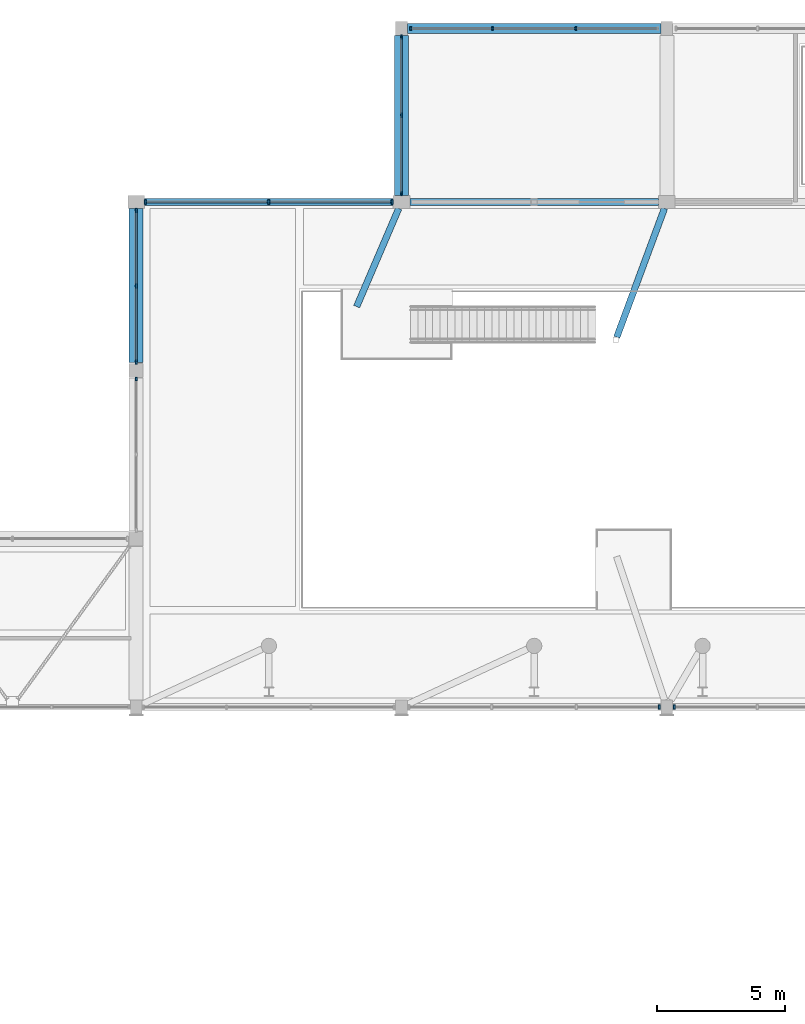
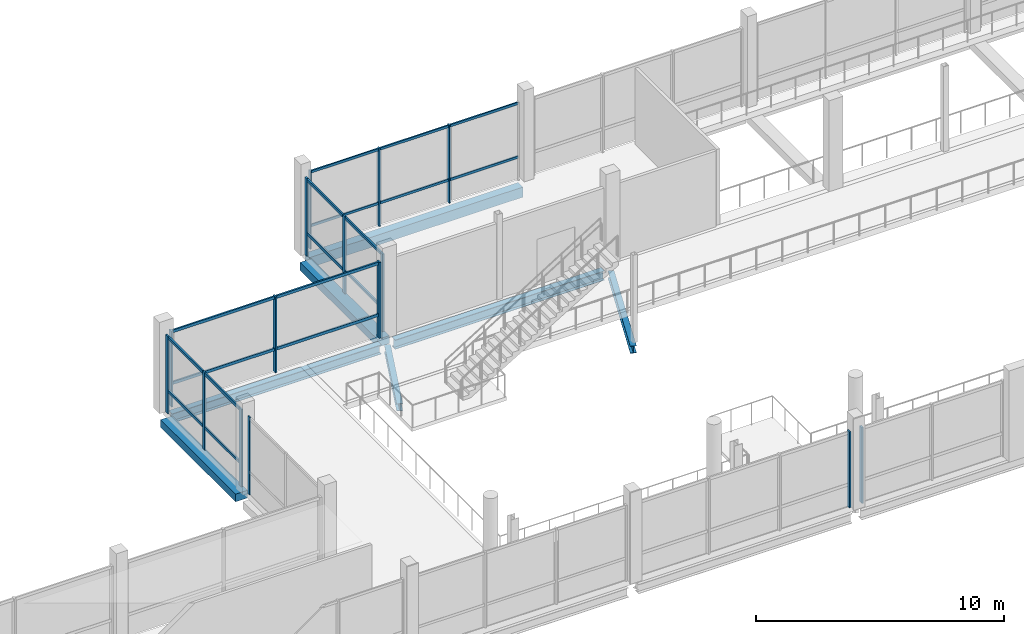
# One storey, part 27 of 95: 23 members, 7 beams, 7 elements without a shape of their own.
"""IFC4 building model written with IfcOpenShell, lengths in metres."""

from ifc_helpers import new_model, si_unit, derived_unit, direction, frame, origin, origin_2d, place, context, subcontext, project, spatial, rectangle, i_section, extrude, material, material_profile, profile_set, type_object, element, aggregate, save


model = new_model("IFC4")

# Units and contexts
model_context = context("Model", 3, precision=1e-05, world=origin(), true_north=direction((0.0, 1.0)))
body_context = subcontext(model_context, "Body", "Model", "MODEL_VIEW")
ifc_project = project(units=[si_unit("LENGTHUNIT", "METRE"), si_unit("AREAUNIT", "SQUARE_METRE"), si_unit("VOLUMEUNIT", "CUBIC_METRE"), si_unit("PLANEANGLEUNIT", "RADIAN"), si_unit("MASSUNIT", "GRAM", prefix="KILO"), derived_unit("THERMALTRANSMITTANCEUNIT", [(si_unit("POWERUNIT", "WATT"), 1), (si_unit("LENGTHUNIT", "METRE"), -2), (si_unit("THERMODYNAMICTEMPERATUREUNIT", "KELVIN"), -1)])], contexts=[model_context])

# Site, building, storey
site_placement = place(None, origin())
site = spatial("IfcSite", under=ifc_project, at=site_placement, CompositionType="ELEMENT")
building_placement = place(site_placement, origin())
building = spatial("IfcBuilding", under=site, at=building_placement, Name="Braskholm Square Health Centre", CompositionType="ELEMENT")
storey_placement = place(building_placement, frame((0.0, 0.0, 4.800048828125)))
storey = spatial("IfcBuildingStorey", under=building, at=storey_placement, Name="L02", CompositionType="ELEMENT", Elevation=4.800048828125)

# Curtain wall, member
ifc_material_1 = material(Name="Low-E triple insulating glass (VLT 0.64)", Category="glass")
curtain_wall_type = type_object("IfcCurtainWallType", Name="UnitisedCurtainWall6200x3800", PredefinedType="NOTDEFINED", material=ifc_material_1)
curtain_wall_1_placement = place(storey_placement, origin())
curtain_wall_1 = element("IfcCurtainWall", 1, at=curtain_wall_1_placement, inside=storey, type_object=curtain_wall_type, Name="Hall Cheek L02 unitised curtain wall CW-L02-0222", PredefinedType="NOTDEFINED")
ifc_material_2 = material(Name="Architectural bronze anodised aluminium", Category="aluminium")
ifc_material_profile_1 = material_profile(ifc_material_2, rectangle(XDim=0.06494140625, YDim=0.14990234375, at=origin_2d()), Name="ALU-65X150")
ifc_profile_set_1 = profile_set([ifc_material_profile_1], Name="Architectural bronze anodised aluminium")
member_type_1 = type_object("IfcMemberType", Name="CurtainWallMullion65x150", PredefinedType="MULLION", material=ifc_profile_set_1)
member_1_placement = place(storey_placement, frame((47.60009765625, 100.06396484375, 0.0), z_axis=(0.0, 0.0, 1.0), x_axis=(1.0, 0.0, 0.0)))
member_1 = element("IfcMember", 2, at=member_1_placement, type_object=member_type_1, Name="CW-L02-0222 vertical mullion 1", PredefinedType="MULLION", context=body_context, shape_type="SweptSolid", body=[
    extrude(rectangle(XDim=0.06494140625, YDim=0.14990234375, at=origin_2d()), origin(), (0.0, 0.0, 1.0), 3.820068359375),
])
aggregate(curtain_wall_1, [member_1])

# Curtain wall, members
curtain_wall_2_placement = place(storey_placement, origin())
curtain_wall_2 = element("IfcCurtainWall", 3, at=curtain_wall_2_placement, inside=storey, type_object=curtain_wall_type, Name="Hydrotherapy North unitised curtain wall CW-L02-0242", PredefinedType="NOTDEFINED")
member_2_placement = place(storey_placement, frame((64.833251953125, 113.800048828125, 0.0), z_axis=(0.0, 0.0, 1.0), x_axis=(1.0, 0.0, 0.0)))
member_2 = element("IfcMember", 4, at=member_2_placement, type_object=member_type_1, Name="CW-L02-0242 vertical mullion 2", PredefinedType="MULLION", context=body_context, shape_type="SweptSolid", body=[
    extrude(rectangle(XDim=0.06494140625, YDim=0.14990234375, at=origin_2d()), origin(), (0.0, 0.0, 1.0), 3.8369140625),
])
member_3_placement = place(storey_placement, frame((61.566650390625, 113.800048828125, 0.0), z_axis=(0.0, 0.0, 1.0), x_axis=(1.0, 0.0, 0.0)))
member_3 = element("IfcMember", 5, at=member_3_placement, type_object=member_type_1, Name="CW-L02-0242 vertical mullion 3", PredefinedType="MULLION", context=body_context, shape_type="SweptSolid", body=[
    extrude(rectangle(XDim=0.06494140625, YDim=0.14990234375, at=origin_2d()), origin(), (0.0, 0.0, 1.0), 3.8369140625),
])
member_4_placement = place(storey_placement, frame((58.35888671875, 113.800048828125, 0.0), z_axis=(0.0, 0.0, 1.0), x_axis=(1.0, 0.0, 0.0)))
member_4 = element("IfcMember", 6, at=member_4_placement, type_object=member_type_1, Name="CW-L02-0242 vertical mullion 4", PredefinedType="MULLION", context=body_context, shape_type="SweptSolid", body=[
    extrude(rectangle(XDim=0.06494140625, YDim=0.14990234375, at=origin_2d()), origin(), (0.0, 0.0, 1.0), 3.8369140625),
])

# Curtain wall, member
curtain_wall_3_placement = place(storey_placement, origin())
curtain_wall_3 = element("IfcCurtainWall", 7, at=curtain_wall_3_placement, inside=storey, type_object=curtain_wall_type, Name="Hall Gallery L02 unitised curtain wall CW-L02-0187", PredefinedType="NOTDEFINED")
ifc_material_profile_2 = material_profile(ifc_material_2, rectangle(XDim=0.074951171875, YDim=0.179931640625, at=origin_2d()), Name="ALU-75X180")
ifc_profile_set_2 = profile_set([ifc_material_profile_2], Name="Architectural bronze anodised aluminium")
member_type_2 = type_object("IfcMemberType", Name="CurtainWallMullion75x180", PredefinedType="MULLION", material=ifc_profile_set_2)
member_5_placement = place(storey_placement, frame((68.1083984375, 87.199951171875, 0.0), z_axis=(0.0, 0.0, 1.0), x_axis=(1.0, 0.0, 0.0)))
member_5 = element("IfcMember", 8, at=member_5_placement, type_object=member_type_2, Name="CW-L02-0187 vertical mullion 4", PredefinedType="MULLION", context=body_context, shape_type="SweptSolid", body=[
    extrude(rectangle(XDim=0.074951171875, YDim=0.179931640625, at=origin_2d()), origin(), (0.0, 0.0, 1.0), 3.737060546875),
])
aggregate(curtain_wall_3, [member_5])

curtain_wall_4_placement = place(storey_placement, origin())
curtain_wall_4 = element("IfcCurtainWall", 9, at=curtain_wall_4_placement, inside=storey, type_object=curtain_wall_type, Name="Hall Gallery L02 unitised curtain wall CW-L02-0189", PredefinedType="NOTDEFINED")
member_6_placement = place(storey_placement, frame((68.691650390625, 87.199951171875, 0.0), z_axis=(0.0, 0.0, 1.0), x_axis=(1.0, 0.0, 0.0)))
member_6 = element("IfcMember", 10, at=member_6_placement, type_object=member_type_2, Name="CW-L02-0189 vertical mullion 1", PredefinedType="MULLION", context=body_context, shape_type="SweptSolid", body=[
    extrude(rectangle(XDim=0.074951171875, YDim=0.179931640625, at=origin_2d()), origin(), (0.0, 0.0, 1.0), 3.737060546875),
])
aggregate(curtain_wall_4, [member_6])

# Curtain wall, members
curtain_wall_5_placement = place(storey_placement, origin())
curtain_wall_5 = element("IfcCurtainWall", 11, at=curtain_wall_5_placement, inside=storey, type_object=curtain_wall_type, Name="Hall North unitised curtain wall CW-L02-0215", PredefinedType="NOTDEFINED")
member_7_placement = place(storey_placement, frame((57.64111328125, 107.0, 0.0), z_axis=(0.0, 0.0, 1.0), x_axis=(1.0, 0.0, 0.0)))
member_7 = element("IfcMember", 12, at=member_7_placement, type_object=member_type_2, Name="CW-L02-0215 vertical mullion 1", PredefinedType="MULLION", context=body_context, shape_type="SweptSolid", body=[
    extrude(rectangle(XDim=0.074951171875, YDim=0.179931640625, at=origin_2d()), origin(), (0.0, 0.0, 1.0), 3.737060546875),
])
member_8_placement = place(storey_placement, frame((52.800048828125, 107.0, 0.0), z_axis=(0.0, 0.0, 1.0), x_axis=(1.0, 0.0, 0.0)))
member_8 = element("IfcMember", 13, at=member_8_placement, type_object=member_type_2, Name="CW-L02-0215 vertical mullion 2", PredefinedType="MULLION", context=body_context, shape_type="SweptSolid", body=[
    extrude(rectangle(XDim=0.074951171875, YDim=0.179931640625, at=origin_2d()), origin(), (0.0, 0.0, 1.0), 3.737060546875),
])
member_9_placement = place(storey_placement, frame((47.958740234375, 107.0, 0.0), z_axis=(0.0, 0.0, 1.0), x_axis=(1.0, 0.0, 0.0)))
member_9 = element("IfcMember", 14, at=member_9_placement, type_object=member_type_2, Name="CW-L02-0215 vertical mullion 3", PredefinedType="MULLION", context=body_context, shape_type="SweptSolid", body=[
    extrude(rectangle(XDim=0.074951171875, YDim=0.179931640625, at=origin_2d()), origin(), (0.0, 0.0, 1.0), 3.737060546875),
])

curtain_wall_6_placement = place(storey_placement, origin())
curtain_wall_6 = element("IfcCurtainWall", 15, at=curtain_wall_6_placement, inside=storey, type_object=curtain_wall_type, Name="Hall Cheek L02 unitised curtain wall CW-L02-0221", PredefinedType="NOTDEFINED")
member_10_placement = place(storey_placement, frame((47.60009765625, 106.6640625, 0.0), z_axis=(0.0, 0.0, 1.0), x_axis=(1.0, 0.0, 0.0)))
member_10 = element("IfcMember", 16, at=member_10_placement, type_object=member_type_2, Name="CW-L02-0221 vertical mullion 1", PredefinedType="MULLION", context=body_context, shape_type="SweptSolid", body=[
    extrude(rectangle(XDim=0.074951171875, YDim=0.179931640625, at=origin_2d()), origin(), (0.0, 0.0, 1.0), 3.820068359375),
])
member_11_placement = place(storey_placement, frame((47.60009765625, 103.699951171875, 0.0), z_axis=(0.0, 0.0, 1.0), x_axis=(1.0, 0.0, 0.0)))
member_11 = element("IfcMember", 17, at=member_11_placement, type_object=member_type_2, Name="CW-L02-0221 vertical mullion 2", PredefinedType="MULLION", context=body_context, shape_type="SweptSolid", body=[
    extrude(rectangle(XDim=0.074951171875, YDim=0.179931640625, at=origin_2d()), origin(), (0.0, 0.0, 1.0), 3.820068359375),
])
member_12_placement = place(storey_placement, frame((47.60009765625, 100.736083984375, 0.0), z_axis=(0.0, 0.0, 1.0), x_axis=(1.0, 0.0, 0.0)))
member_12 = element("IfcMember", 18, at=member_12_placement, type_object=member_type_2, Name="CW-L02-0221 vertical mullion 3", PredefinedType="MULLION", context=body_context, shape_type="SweptSolid", body=[
    extrude(rectangle(XDim=0.074951171875, YDim=0.179931640625, at=origin_2d()), origin(), (0.0, 0.0, 1.0), 3.820068359375),
])

curtain_wall_7_placement = place(storey_placement, origin())
curtain_wall_7 = element("IfcCurtainWall", 19, at=curtain_wall_7_placement, inside=storey, type_object=curtain_wall_type, Name="Hydrotherapy West unitised curtain wall CW-L02-0247", PredefinedType="NOTDEFINED")
member_13_placement = place(storey_placement, frame((58.0, 113.462890625, 0.0), z_axis=(0.0, 0.0, 1.0), x_axis=(1.0, 0.0, 0.0)))
member_13 = element("IfcMember", 20, at=member_13_placement, type_object=member_type_2, Name="CW-L02-0247 vertical mullion 1", PredefinedType="MULLION", context=body_context, shape_type="SweptSolid", body=[
    extrude(rectangle(XDim=0.074951171875, YDim=0.179931640625, at=origin_2d()), origin(), (0.0, 0.0, 1.0), 3.820068359375),
])
member_14_placement = place(storey_placement, frame((58.0, 110.39990234375, 0.0), z_axis=(0.0, 0.0, 1.0), x_axis=(1.0, 0.0, 0.0)))
member_14 = element("IfcMember", 21, at=member_14_placement, type_object=member_type_2, Name="CW-L02-0247 vertical mullion 2", PredefinedType="MULLION", context=body_context, shape_type="SweptSolid", body=[
    extrude(rectangle(XDim=0.074951171875, YDim=0.179931640625, at=origin_2d()), origin(), (0.0, 0.0, 1.0), 3.820068359375),
])
member_15_placement = place(storey_placement, frame((58.0, 107.337158203125, 0.0), z_axis=(0.0, 0.0, 1.0), x_axis=(1.0, 0.0, 0.0)))
member_15 = element("IfcMember", 22, at=member_15_placement, type_object=member_type_2, Name="CW-L02-0247 vertical mullion 3", PredefinedType="MULLION", context=body_context, shape_type="SweptSolid", body=[
    extrude(rectangle(XDim=0.074951171875, YDim=0.179931640625, at=origin_2d()), origin(), (0.0, 0.0, 1.0), 3.820068359375),
])

# Member
ifc_material_profile_3 = material_profile(ifc_material_2, rectangle(XDim=0.06494140625, YDim=0.1201171875, at=origin_2d()), Name="ALU-65X120")
ifc_profile_set_3 = profile_set([ifc_material_profile_3], Name="Architectural bronze anodised aluminium")
member_type_3 = type_object("IfcMemberType", Name="CurtainWallTransom65x120", PredefinedType="USERDEFINED", material=ifc_profile_set_3)
member_16_placement = place(storey_placement, frame((68.054931640625, 113.800048828125, 1.119873046875), z_axis=(-1.0, 0.0, 0.0), x_axis=(0.0, -1.0, 0.0)))
member_16 = element("IfcMember", 23, at=member_16_placement, type_object=member_type_3, Name="CW-L02-0242 horizontal transom 1", ObjectType="TRANSOM", PredefinedType="USERDEFINED", context=body_context, shape_type="SweptSolid", body=[
    extrude(rectangle(XDim=0.06494140625, YDim=0.1201171875, at=origin_2d()), origin(), (0.0, 0.0, 1.0), 9.7099609375),
])

member_17_placement = place(storey_placement, frame((68.054931640625, 113.800048828125, 3.766845703125), z_axis=(-1.0, 0.0, 0.0), x_axis=(0.0, -1.0, 0.0)))
member_17 = element("IfcMember", 24, at=member_17_placement, type_object=member_type_3, Name="CW-L02-0242 horizontal transom 2", ObjectType="TRANSOM", PredefinedType="USERDEFINED", context=body_context, shape_type="SweptSolid", body=[
    extrude(rectangle(XDim=0.06494140625, YDim=0.1201171875, at=origin_2d()), origin(), (0.0, 0.0, 1.0), 9.7099609375),
])

aggregate(curtain_wall_2, [member_2, member_3, member_4, member_16, member_17])

ifc_material_profile_4 = material_profile(ifc_material_2, rectangle(XDim=0.074951171875, YDim=0.139892578125, at=origin_2d()), Name="ALU-75X140")
ifc_profile_set_4 = profile_set([ifc_material_profile_4], Name="Architectural bronze anodised aluminium")
member_type_4 = type_object("IfcMemberType", Name="CurtainWallTransom75x140", PredefinedType="USERDEFINED", material=ifc_profile_set_4)
member_18_placement = place(storey_placement, frame((57.655029296875, 107.0, 1.119873046875), z_axis=(-1.0, 0.0, 0.0), x_axis=(0.0, -1.0, 0.0)))
member_18 = element("IfcMember", 25, at=member_18_placement, type_object=member_type_4, Name="CW-L02-0215 horizontal transom 1", ObjectType="TRANSOM", PredefinedType="USERDEFINED", context=body_context, shape_type="SweptSolid", body=[
    extrude(rectangle(XDim=0.074951171875, YDim=0.139892578125, at=origin_2d()), origin(), (0.0, 0.0, 1.0), 9.7099609375),
])

member_19_placement = place(storey_placement, frame((57.655029296875, 107.0, 3.6669921875), z_axis=(-1.0, 0.0, 0.0), x_axis=(0.0, -1.0, 0.0)))
member_19 = element("IfcMember", 26, at=member_19_placement, type_object=member_type_4, Name="CW-L02-0215 horizontal transom 2", ObjectType="TRANSOM", PredefinedType="USERDEFINED", context=body_context, shape_type="SweptSolid", body=[
    extrude(rectangle(XDim=0.074951171875, YDim=0.139892578125, at=origin_2d()), origin(), (0.0, 0.0, 1.0), 9.7099609375),
])

aggregate(curtain_wall_5, [member_7, member_8, member_9, member_18, member_19])

member_20_placement = place(storey_placement, frame((47.60009765625, 106.655029296875, 1.119873046875), z_axis=(0.0, -1.0, 0.0), x_axis=(1.0, 0.0, 0.0)))
member_20 = element("IfcMember", 27, at=member_20_placement, type_object=member_type_4, Name="CW-L02-0221 horizontal transom 1", ObjectType="TRANSOM", PredefinedType="USERDEFINED", context=body_context, shape_type="SweptSolid", body=[
    extrude(rectangle(XDim=0.074951171875, YDim=0.139892578125, at=origin_2d()), origin(), (0.0, 0.0, 1.0), 5.909912109375),
])

member_21_placement = place(storey_placement, frame((47.60009765625, 106.655029296875, 3.75), z_axis=(0.0, -1.0, 0.0), x_axis=(1.0, 0.0, 0.0)))
member_21 = element("IfcMember", 28, at=member_21_placement, type_object=member_type_4, Name="CW-L02-0221 horizontal transom 2", ObjectType="TRANSOM", PredefinedType="USERDEFINED", context=body_context, shape_type="SweptSolid", body=[
    extrude(rectangle(XDim=0.074951171875, YDim=0.139892578125, at=origin_2d()), origin(), (0.0, 0.0, 1.0), 5.909912109375),
])

aggregate(curtain_wall_6, [member_10, member_11, member_12, member_20, member_21])

member_22_placement = place(storey_placement, frame((58.0, 113.455078125, 1.119873046875), z_axis=(0.0, -1.0, 0.0), x_axis=(1.0, 0.0, 0.0)))
member_22 = element("IfcMember", 29, at=member_22_placement, type_object=member_type_4, Name="CW-L02-0247 horizontal transom 1", ObjectType="TRANSOM", PredefinedType="USERDEFINED", context=body_context, shape_type="SweptSolid", body=[
    extrude(rectangle(XDim=0.074951171875, YDim=0.139892578125, at=origin_2d()), origin(), (0.0, 0.0, 1.0), 6.110107421875),
])

member_23_placement = place(storey_placement, frame((58.0, 113.455078125, 3.75), z_axis=(0.0, -1.0, 0.0), x_axis=(1.0, 0.0, 0.0)))
member_23 = element("IfcMember", 30, at=member_23_placement, type_object=member_type_4, Name="CW-L02-0247 horizontal transom 2", ObjectType="TRANSOM", PredefinedType="USERDEFINED", context=body_context, shape_type="SweptSolid", body=[
    extrude(rectangle(XDim=0.074951171875, YDim=0.139892578125, at=origin_2d()), origin(), (0.0, 0.0, 1.0), 6.110107421875),
])

aggregate(curtain_wall_7, [member_13, member_14, member_15, member_22, member_23])

# Beams
ifc_material_3 = material(Name="Concrete C35/45 (f'c = 35 MPa)", Category="concrete")
ifc_material_profile_5 = material_profile(ifc_material_3, rectangle(XDim=0.550048828125, YDim=0.3798828125, at=origin_2d()), Name="RCB-550X380")
ifc_profile_set_5 = profile_set([ifc_material_profile_5], Name="Concrete C35/45 (f'c = 35 MPa)")
beam_type_1 = type_object("IfcBeamType", Name="PrimaryBandBeam550x380", PredefinedType="BEAM", material=ifc_profile_set_5)
beam_1_placement = place(storey_placement, frame((47.60009765625, 100.699951171875, -0.489990234375), z_axis=(0.0, 1.0, 0.0), x_axis=(-1.0, 0.0, 0.0)))
element("IfcBeam", 31, at=beam_1_placement, inside=storey, type_object=beam_type_1, Name="Beam 8/Q-R L02", PredefinedType="BEAM", context=body_context, shape_type="SweptSolid", body=[
    extrude(rectangle(XDim=0.550048828125, YDim=0.3798828125, at=origin_2d()), origin(), (0.0, 0.0, 1.0), 6.050048828125),
])
beam_2_placement = place(storey_placement, frame((58.0, 107.25, -0.489990234375), z_axis=(0.0, 1.0, 0.0), x_axis=(-1.0, 0.0, 0.0)))
element("IfcBeam", 32, at=beam_2_placement, inside=storey, type_object=beam_type_1, Name="Beam 9/R-S L02", PredefinedType="BEAM", context=body_context, shape_type="SweptSolid", body=[
    extrude(rectangle(XDim=0.550048828125, YDim=0.3798828125, at=origin_2d()), origin(), (0.0, 0.0, 1.0), 6.27001953125),
])
ifc_material_4 = material(Name="Precast concrete C40/50 architectural white", Category="concrete")
ifc_material_profile_6 = material_profile(ifc_material_4, rectangle(XDim=0.3798828125, YDim=0.5, at=origin_2d()), Name="RCB-380X500")
ifc_profile_set_6 = profile_set([ifc_material_profile_6], Name="Precast concrete C40/50 architectural white")
beam_type_2 = type_object("IfcBeamType", Name="SpandrelPrecastEdge380x500", PredefinedType="SPANDREL", material=ifc_profile_set_6)
beam_3_placement = place(storey_placement, frame((58.22998046875, 113.800048828125, -0.550048828125), z_axis=(1.0, 0.0, 0.0), x_axis=(0.0, 1.0, 0.0)))
element("IfcBeam", 33, at=beam_3_placement, inside=storey, type_object=beam_type_2, Name="Beam 9-10/S L02", PredefinedType="SPANDREL", context=body_context, shape_type="SweptSolid", body=[
    extrude(rectangle(XDim=0.3798828125, YDim=0.5, at=origin_2d()), origin(), (0.0, 0.0, 1.0), 9.93994140625),
])
ifc_material_5 = material(Name="Steel ASTM A992 Grade 50", Category="steel")
ifc_material_profile_7 = material_profile(ifc_material_5, i_section(OverallWidth=0.2548828125, OverallDepth=0.35693359375, WebThickness=0.010498046875, FlangeThickness=0.018310546875, at=origin_2d()), Name="W14X68")
ifc_profile_set_7 = profile_set([ifc_material_profile_7], Name="Steel ASTM A992 Grade 50")
beam_type_3 = type_object("IfcBeamType", Name="SteelBeamCanopyW14X68", PredefinedType="BEAM", material=ifc_profile_set_7)
beam_4_placement = place(storey_placement, frame((56.242919921875, 102.89990234375, -0.478515625), z_axis=(0.393891173212, 0.919157083237, 0.0), x_axis=(-0.919157083237, 0.393891173212, 0.0)))
element("IfcBeam", 34, at=beam_4_placement, inside=storey, type_object=beam_type_3, Name="Tie beam CS3G L02", PredefinedType="BEAM", context=body_context, shape_type="SweptSolid", body=[
    extrude(i_section(OverallWidth=0.2548828125, OverallDepth=0.35693359375, WebThickness=0.010498046875, FlangeThickness=0.018310546875, at=origin_2d()), origin(), (0.0, 0.0, 1.0), 4.190673828125),
])
beam_5_placement = place(storey_placement, frame((66.43701171875, 101.69970703125, -0.478515625), z_axis=(0.347296645068, 0.937755320073, 0.0), x_axis=(-0.937755320073, 0.347296645068, 0.0)))
element("IfcBeam", 35, at=beam_5_placement, inside=storey, type_object=beam_type_3, Name="Tie beam CS3J L02", PredefinedType="BEAM", context=body_context, shape_type="SweptSolid", body=[
    extrude(i_section(OverallWidth=0.2548828125, OverallDepth=0.35693359375, WebThickness=0.010498046875, FlangeThickness=0.018310546875, at=origin_2d()), origin(), (0.0, 0.0, 1.0), 5.3876953125),
])
ifc_material_profile_8 = material_profile(ifc_material_5, i_section(OverallWidth=0.280029296875, OverallDepth=0.462890625, WebThickness=0.0107421875, FlangeThickness=0.017333984375, at=origin_2d()), Name="W18X76")
ifc_profile_set_8 = profile_set([ifc_material_profile_8], Name="Steel ASTM A992 Grade 50")
beam_type_4 = type_object("IfcBeamType", Name="SteelGirderGalleryW18X76", PredefinedType="BEAM", material=ifc_profile_set_8)
for number, where, z_axis, x_axis, name in (
    (36, (47.925048828125, 107.0, -0.531494140625), (1.0, 0.0, 0.0), (0.0, 1.0, 0.0), "Beam 8-9/R L02"),
    (37, (58.324951171875, 107.0, -0.531494140625), (1.0, 0.0, 0.0), (0.0, 1.0, 0.0), "Beam 9-10/R L02"),
):
    element("IfcBeam", number, at=place(storey_placement, frame(where, z_axis=z_axis, x_axis=x_axis)), inside=storey, type_object=beam_type_4, Name=name, PredefinedType="BEAM", context=body_context, shape_type="SweptSolid", body=[
        extrude(i_section(OverallWidth=0.280029296875, OverallDepth=0.462890625, WebThickness=0.0107421875, FlangeThickness=0.017333984375, at=origin_2d()), origin(), (0.0, 0.0, 1.0), 9.75),
    ])

save(model, "model.ifc")
